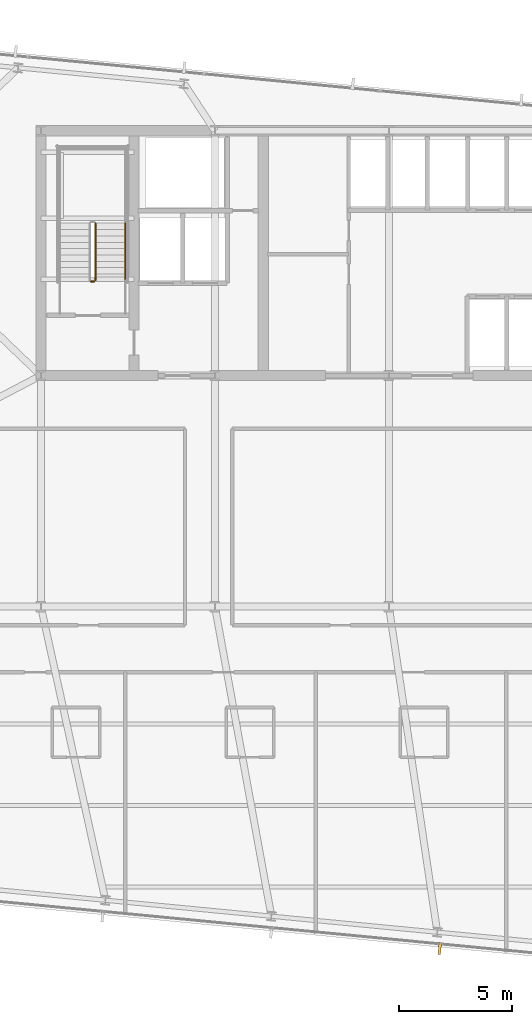
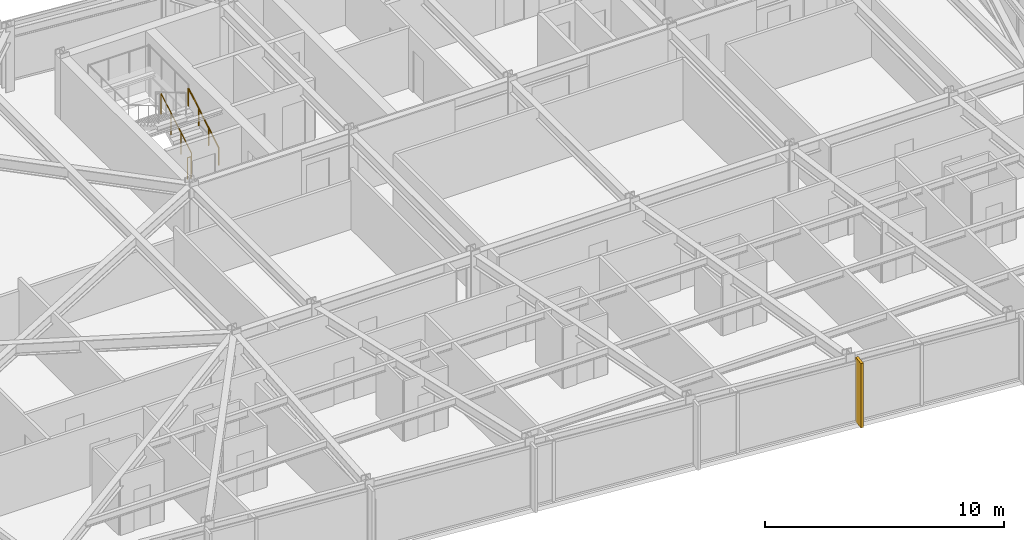
# One storey, part 34 of 37: 3 railings, 1 shading device.
"""IFC4 building model written with IfcOpenShell, lengths in metres."""

from ifc_helpers import new_model, si_unit, direction, frame, origin, origin_2d, place, context, subcontext, project, spatial, rectangle, circle, extrude, material, layer, layer_set, type_object, element, save


model = new_model("IFC4")

# Units and contexts
model_context = context("Model", 3, precision=1e-05, world=origin(), true_north=direction((0.0, 1.0)))
body_context = subcontext(model_context, "Body", "Model", "MODEL_VIEW")
ifc_project = project(units=[si_unit("LENGTHUNIT", "METRE"), si_unit("AREAUNIT", "SQUARE_METRE"), si_unit("VOLUMEUNIT", "CUBIC_METRE"), si_unit("PLANEANGLEUNIT", "RADIAN"), si_unit("MASSUNIT", "GRAM", prefix="KILO")], contexts=[model_context])

# Site, building, storey
site_placement = place(None, origin())
site = spatial("IfcSite", under=ifc_project, at=site_placement, CompositionType="ELEMENT")
building_placement = place(site_placement, origin())
building = spatial("IfcBuilding", under=site, at=building_placement, Name="Yelkora Congress Tower", CompositionType="ELEMENT")
storey_placement = place(building_placement, frame((0.0, 0.0, 168.800048828125)))
storey = spatial("IfcBuildingStorey", under=building, at=storey_placement, Name="L46", CompositionType="ELEMENT", Elevation=168.800048828125)

# Railings
ifc_material_1 = material(Name="Painted galvanised steel stair well guard with vertical infill", Category="steel")
ifc_layer_1 = layer(ifc_material_1, 0.06005859375)
ifc_layer_set_1 = layer_set([ifc_layer_1], Name="Painted galvanised steel stair well guard with vertical infill")
railing_type_1 = type_object("IfcRailingType", Name="RAIL-STAIR-GUARD-1120", PredefinedType="GUARDRAIL", material=ifc_layer_set_1)
railing_1_placement = place(storey_placement, frame((25.449951171875, 39.60009765625, 0.1650390625)))
element("IfcRailing", 1, at=railing_1_placement, inside=storey, type_object=railing_type_1, Name="ST-01 L46 Stair Well Guardrail 1", PredefinedType="GUARDRAIL", context=body_context, shape_type="SweptSolid", body=[
    extrude(circle(Radius=0.02392578125, at=origin_2d()), frame((0.0, 0.0, 1.09619140625), z_axis=(0.0, 0.861560626758, 0.507654692109), x_axis=(-1.0, 0.0, 0.0)), (0.0, 0.0, 1.0), 2.925048828125),
    extrude(circle(Radius=0.02099609375, at=origin_2d()), origin(), (0.0, 0.0, 1.0), 1.072021484375),
    extrude(circle(Radius=0.02099609375, at=origin_2d()), frame((0.0, 0.840087890625, 0.494873046875)), (0.0, 0.0, 1.0), 1.072021484375),
    extrude(circle(Radius=0.02099609375, at=origin_2d()), frame((0.0, 1.679931640625, 0.989990234375)), (0.0, 0.0, 1.0), 1.072021484375),
    extrude(circle(Radius=0.02099609375, at=origin_2d()), frame((0.0, 2.52001953125, 1.48486328125)), (0.0, 0.0, 1.0), 1.072021484375),
])
railing_2_placement = place(storey_placement, frame((25.39990234375, 39.550048828125, 0.0)))
element("IfcRailing", 2, at=railing_2_placement, inside=storey, type_object=railing_type_1, Name="ST-01 L46 Stair Well Guardrail 7", PredefinedType="GUARDRAIL", context=body_context, shape_type="SweptSolid", body=[
    extrude(circle(Radius=0.02392578125, at=origin_2d()), frame((0.0, 0.0, 1.09619140625), z_axis=(-1.0, 0.0, 0.0), x_axis=(0.0, -1.0, 0.0)), (0.0, 0.0, 1.0), 0.159912109375),
    extrude(circle(Radius=0.02099609375, at=origin_2d()), origin(), (0.0, 0.0, 1.0), 1.072021484375),
    extrude(circle(Radius=0.02099609375, at=origin_2d()), frame((-0.159912109375, 0.0, 0.0)), (0.0, 0.0, 1.0), 1.072021484375),
])
ifc_material_2 = material(Name="Brushed stainless steel tubular handrail", Category="steel")
ifc_layer_2 = layer(ifc_material_2, 0.050048828125)
ifc_layer_set_2 = layer_set([ifc_layer_2], Name="Brushed stainless steel tubular handrail")
railing_type_2 = type_object("IfcRailingType", Name="RAIL-STAIR-HAND-920", PredefinedType="HANDRAIL", material=ifc_layer_set_2)
railing_3_placement = place(storey_placement, frame((26.77001953125, 39.60009765625, 0.1650390625)))
element("IfcRailing", 3, at=railing_3_placement, inside=storey, type_object=railing_type_2, Name="ST-01 L46 Pitch Handrail 1", PredefinedType="HANDRAIL", context=body_context, shape_type="SweptSolid", body=[
    extrude(circle(Radius=0.02392578125, at=origin_2d()), frame((0.0, 0.0, 0.89599609375), z_axis=(0.0, 0.861560626758, 0.507654692109), x_axis=(-1.0, 0.0, 0.0)), (0.0, 0.0, 1.0), 2.925048828125),
    extrude(circle(Radius=0.02099609375, at=origin_2d()), origin(), (0.0, 0.0, 1.0), 0.871826171875),
    extrude(circle(Radius=0.02099609375, at=origin_2d()), frame((0.0, 0.840087890625, 0.494873046875)), (0.0, 0.0, 1.0), 0.871826171875),
    extrude(circle(Radius=0.02099609375, at=origin_2d()), frame((0.0, 1.679931640625, 0.989990234375)), (0.0, 0.0, 1.0), 0.871826171875),
    extrude(circle(Radius=0.02099609375, at=origin_2d()), frame((0.0, 2.52001953125, 1.48486328125)), (0.0, 0.0, 1.0), 0.871826171875),
])

# Shading device
ifc_material_3 = material(Name="Champagne anodised aluminium", Category="aluminium")
ifc_layer_3 = layer(ifc_material_3, 3.300048828125)
ifc_layer_set_3 = layer_set([ifc_layer_3], Name="Champagne anodised aluminium")
shading_device_type = type_object("IfcShadingDeviceType", Name="SHD-FIN-ALU-520", PredefinedType="USERDEFINED", material=ifc_layer_set_3)
shading_device_placement = place(storey_placement, frame((40.642333984375, 10.10791015625, -0.0302734375), z_axis=(0.0, 0.0, 1.0), x_axis=(-0.995396198367, 0.09584575252, 0.0)))
element("IfcShadingDevice", 4, at=shading_device_placement, inside=storey, type_object=shading_device_type, Name="L46 Vertical Anodised Solar Fin 20-2", ObjectType="FIN", PredefinedType="USERDEFINED", context=body_context, shape_type="SweptSolid", body=[
    extrude(rectangle(XDim=0.1201171875, YDim=0.52001953125, at=origin_2d()), origin(), (0.0, 0.0, 1.0), 3.280029296875),
])

save(model, "model.ifc")
